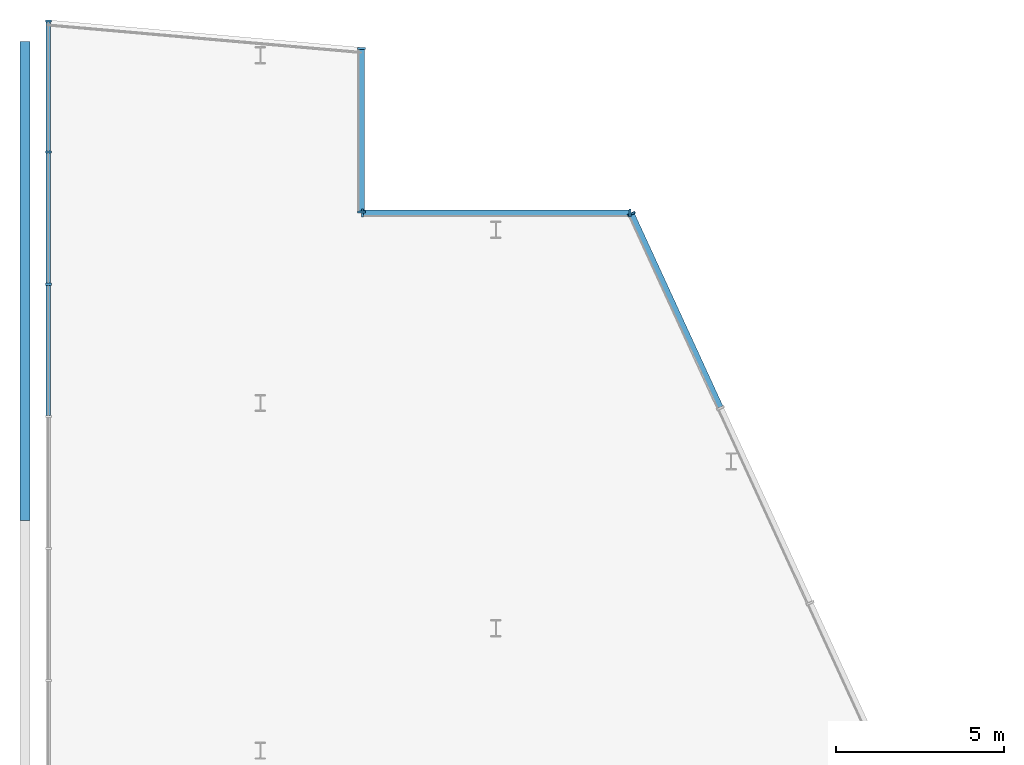
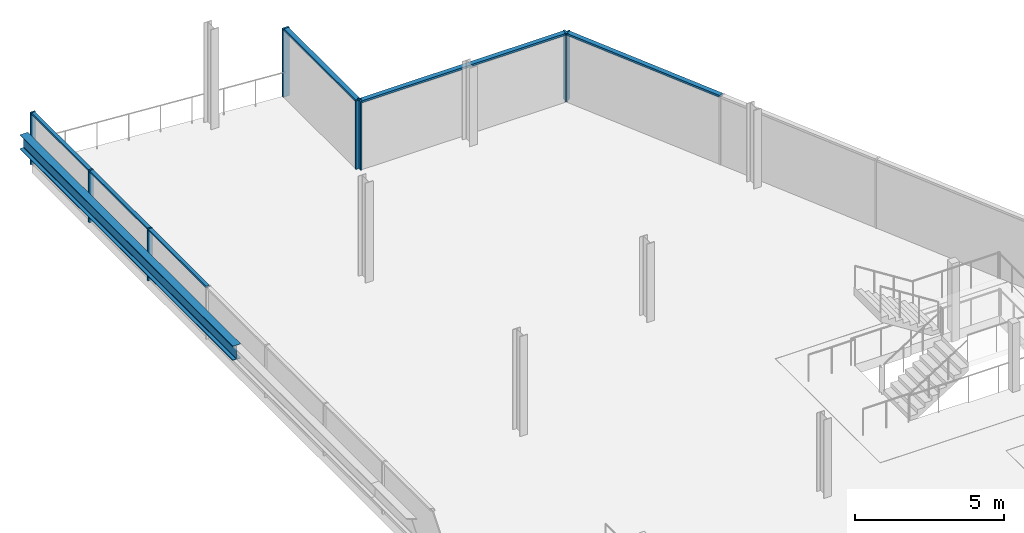
# One storey, part 6 of 9: 14 members, 1 beam, 4 elements without a shape of their own.
"""IFC4 building model written with IfcOpenShell, lengths in metres."""

from ifc_helpers import new_model, si_unit, direction, frame, origin, origin_2d, place, context, subcontext, project, spatial, rectangle, i_section, extrude, material, material_profile, profile_set, type_object, element, aggregate, save


model = new_model("IFC4")

# Units and contexts
model_context = context("Model", 3, precision=1e-05, world=origin(), true_north=direction((0.0, 1.0)))
body_context = subcontext(model_context, "Body", "Model", "MODEL_VIEW")
ifc_project = project(units=[si_unit("LENGTHUNIT", "METRE"), si_unit("AREAUNIT", "SQUARE_METRE"), si_unit("VOLUMEUNIT", "CUBIC_METRE"), si_unit("PLANEANGLEUNIT", "RADIAN"), si_unit("MASSUNIT", "GRAM", prefix="KILO")], contexts=[model_context])

# Site, building, storey
site_placement = place(None, origin())
site = spatial("IfcSite", under=ifc_project, at=site_placement, CompositionType="ELEMENT")
building_placement = place(site_placement, origin())
building = spatial("IfcBuilding", under=site, at=building_placement, Name="Wharfspan Tower", CompositionType="ELEMENT")
storey_placement = place(building_placement, frame((0.0, 0.0, 270.699951)))
storey = spatial("IfcBuildingStorey", under=building, at=storey_placement, Name="L69", CompositionType="ELEMENT", Elevation=270.699951)

# Curtain wall, members
ifc_material_1 = material(Name="Aluminium 6063-T6", Category="aluminium")
curtain_wall_type_1 = type_object("IfcCurtainWallType", Name="CURTAIN WALL CROWN GABLE", PredefinedType="NOTDEFINED", material=ifc_material_1)
curtain_wall_1_placement = place(storey_placement, origin())
curtain_wall_1 = element("IfcCurtainWall", 1, at=curtain_wall_1_placement, inside=storey, type_object=curtain_wall_type_1, Name="Crown gable glazing", PredefinedType="NOTDEFINED")
ifc_material_profile_1 = material_profile(ifc_material_1, rectangle(XDim=0.179932, YDim=0.060059, at=origin_2d()))
ifc_profile_set_1 = profile_set([ifc_material_profile_1], Name="Aluminium 6063-T6")
member_type_1 = type_object("IfcMemberType", Name="MULLION CROWN GABLE 60x180", PredefinedType="MULLION", material=ifc_profile_set_1)
member_1_placement = place(storey_placement, frame((44.691162, 41.480469, 0.0), z_axis=(0.0, 0.0, 1.0), x_axis=(-1.0, 0.0, 0.0)))
member_1 = element("IfcMember", 2, at=member_1_placement, type_object=member_type_1, Name="Crown gable glazing mullion 10", PredefinedType="MULLION", context=body_context, shape_type="SweptSolid", body=[
    extrude(rectangle(XDim=0.179932, YDim=0.060059, at=origin_2d()), origin(), (0.0, 0.0, 1.0), 2.124268),
])
member_2_placement = place(storey_placement, frame((44.691162, 45.409912, 0.0), z_axis=(0.0, 0.0, 1.0), x_axis=(-1.0, 0.0, 0.0)))
member_2 = element("IfcMember", 3, at=member_2_placement, type_object=member_type_1, Name="Crown gable glazing mullion 11", PredefinedType="MULLION", context=body_context, shape_type="SweptSolid", body=[
    extrude(rectangle(XDim=0.179932, YDim=0.060059, at=origin_2d()), origin(), (0.0, 0.0, 1.0), 2.124268),
])
member_3_placement = place(storey_placement, frame((44.691162, 49.309326, 0.0), z_axis=(0.0, 0.0, 1.0), x_axis=(-1.0, 0.0, 0.0)))
member_3 = element("IfcMember", 4, at=member_3_placement, type_object=member_type_1, Name="Crown gable glazing mullion 12", PredefinedType="MULLION", context=body_context, shape_type="SweptSolid", body=[
    extrude(rectangle(XDim=0.179932, YDim=0.060059, at=origin_2d()), origin(), (0.0, 0.0, 1.0), 2.124268),
])

# Curtain wall, member
curtain_wall_type_2 = type_object("IfcCurtainWallType", Name="CURTAIN WALL PROW AND END", PredefinedType="NOTDEFINED", material=ifc_material_1)
curtain_wall_2_placement = place(storey_placement, origin())
curtain_wall_2 = element("IfcCurtainWall", 5, at=curtain_wall_2_placement, inside=storey, type_object=curtain_wall_type_2, Name="Crown curtain wall E", PredefinedType="NOTDEFINED")
ifc_material_profile_2 = material_profile(ifc_material_1, rectangle(XDim=0.23999, YDim=0.060059, at=origin_2d()))
ifc_profile_set_2 = profile_set([ifc_material_profile_2], Name="Aluminium 6063-T6")
member_type_2 = type_object("IfcMemberType", Name="MULLION PROW AND END 60x240", PredefinedType="MULLION", material=ifc_profile_set_2)
member_4_placement = place(storey_placement, frame((62.032959, 43.572754, 0.0), z_axis=(0.0, 0.0, 1.0), x_axis=(-0.908769, -0.417292, 0.0)))
member_4 = element("IfcMember", 6, at=member_4_placement, type_object=member_type_2, Name="Crown curtain wall E mullion 7", PredefinedType="MULLION", context=body_context, shape_type="SweptSolid", body=[
    extrude(rectangle(XDim=0.23999, YDim=0.060059, at=origin_2d()), origin(), (0.0, 0.0, 1.0), 2.800049),
])

# Curtain wall, members
curtain_wall_3_placement = place(storey_placement, origin())
curtain_wall_3 = element("IfcCurtainWall", 7, at=curtain_wall_3_placement, inside=storey, type_object=curtain_wall_type_2, Name="Crown curtain wall NRE-H", PredefinedType="NOTDEFINED")
member_5_placement = place(storey_placement, frame((61.990479, 43.600098, 0.0), z_axis=(0.0, 0.0, 1.0), x_axis=(0.0, -1.0, 0.0)))
member_5 = element("IfcMember", 8, at=member_5_placement, type_object=member_type_2, Name="Crown curtain wall NRE-H mullion 1", PredefinedType="MULLION", context=body_context, shape_type="SweptSolid", body=[
    extrude(rectangle(XDim=0.23999, YDim=0.060059, at=origin_2d()), origin(), (0.0, 0.0, 1.0), 2.800049),
])
member_6_placement = place(storey_placement, frame((54.030029, 43.600098, 0.0), z_axis=(0.0, 0.0, 1.0), x_axis=(0.0, -1.0, 0.0)))
member_6 = element("IfcMember", 9, at=member_6_placement, type_object=member_type_2, Name="Crown curtain wall NRE-H mullion 2", PredefinedType="MULLION", context=body_context, shape_type="SweptSolid", body=[
    extrude(rectangle(XDim=0.23999, YDim=0.060059, at=origin_2d()), origin(), (0.0, 0.0, 1.0), 2.800049),
])

curtain_wall_4_placement = place(storey_placement, origin())
curtain_wall_4 = element("IfcCurtainWall", 10, at=curtain_wall_4_placement, inside=storey, type_object=curtain_wall_type_2, Name="Crown curtain wall NRE-V", PredefinedType="NOTDEFINED")
member_7_placement = place(storey_placement, frame((54.0, 43.629883, 0.0), z_axis=(0.0, 0.0, 1.0), x_axis=(-1.0, 0.0, 0.0)))
member_7 = element("IfcMember", 11, at=member_7_placement, type_object=member_type_2, Name="Crown curtain wall NRE-V mullion 1", PredefinedType="MULLION", context=body_context, shape_type="SweptSolid", body=[
    extrude(rectangle(XDim=0.23999, YDim=0.060059, at=origin_2d()), origin(), (0.0, 0.0, 1.0), 2.800049),
])
member_8_placement = place(storey_placement, frame((54.0, 48.494873, 0.0), z_axis=(0.0, 0.0, 1.0), x_axis=(-1.0, 0.0, 0.0)))
member_8 = element("IfcMember", 12, at=member_8_placement, type_object=member_type_2, Name="Crown curtain wall NRE-V mullion 2", PredefinedType="MULLION", context=body_context, shape_type="SweptSolid", body=[
    extrude(rectangle(XDim=0.23999, YDim=0.060059, at=origin_2d()), origin(), (0.0, 0.0, 1.0), 2.800049),
])

# Beam
ifc_material_2 = material(Name="Steel S355J2", Category="steel")
ifc_material_profile_3 = material_profile(ifc_material_2, i_section(OverallWidth=0.300049, OverallDepth=0.600098, WebThickness=0.015381, FlangeThickness=0.030029, FilletRadius=0.0271, at=origin_2d()))
ifc_profile_set_3 = profile_set([ifc_material_profile_3], Name="Steel S355J2")
beam_type = type_object("IfcBeamType", Name="Roof girder HEB 600", PredefinedType="BEAM", material=ifc_profile_set_3)
beam_placement = place(storey_placement, frame((44.0, 34.449951, 1.550049), z_axis=(0.0, 1.0, 0.0), x_axis=(-1.0, 0.0, 0.0)))
element("IfcBeam", 13, at=beam_placement, inside=storey, type_object=beam_type, Name="Roof girder G4 34 to 49", PredefinedType="BEAM", context=body_context, shape_type="SweptSolid", body=[
    extrude(i_section(OverallWidth=0.300049, OverallDepth=0.600098, WebThickness=0.015381, FlangeThickness=0.030029, FilletRadius=0.0271, at=origin_2d()), origin(), (0.0, 0.0, 1.0), 14.249756),
])

# Member
ifc_material_profile_4 = material_profile(ifc_material_1, rectangle(XDim=0.139893, YDim=0.070068, at=origin_2d()))
ifc_profile_set_4 = profile_set([ifc_material_profile_4], Name="Aluminium 6063-T6")
member_type_3 = type_object("IfcMemberType", Name="TRANSOM CROWN GABLE 70x140", PredefinedType="USERDEFINED", material=ifc_profile_set_4)
member_9_placement = place(storey_placement, frame((44.691162, 37.580811, 2.089355), z_axis=(0.0, 1.0, 0.0), x_axis=(-1.0, 0.0, 0.0)))
member_9 = element("IfcMember", 14, at=member_9_placement, type_object=member_type_3, Name="Crown gable glazing transom 9", ObjectType="TRANSOM", PredefinedType="USERDEFINED", context=body_context, shape_type="SweptSolid", body=[
    extrude(rectangle(XDim=0.139893, YDim=0.070068, at=origin_2d()), origin(), (0.0, 0.0, 1.0), 3.869629),
])

member_10_placement = place(storey_placement, frame((44.691162, 41.510254, 2.089355), z_axis=(0.0, 1.0, 0.0), x_axis=(-1.0, 0.0, 0.0)))
member_10 = element("IfcMember", 15, at=member_10_placement, type_object=member_type_3, Name="Crown gable glazing transom 10", ObjectType="TRANSOM", PredefinedType="USERDEFINED", context=body_context, shape_type="SweptSolid", body=[
    extrude(rectangle(XDim=0.139893, YDim=0.070068, at=origin_2d()), origin(), (0.0, 0.0, 1.0), 3.869629),
])

member_11_placement = place(storey_placement, frame((44.691162, 45.439941, 2.089355), z_axis=(0.0, 1.0, 0.0), x_axis=(-1.0, 0.0, 0.0)))
member_11 = element("IfcMember", 16, at=member_11_placement, type_object=member_type_3, Name="Crown gable glazing transom 11", ObjectType="TRANSOM", PredefinedType="USERDEFINED", context=body_context, shape_type="SweptSolid", body=[
    extrude(rectangle(XDim=0.139893, YDim=0.070068, at=origin_2d()), origin(), (0.0, 0.0, 1.0), 3.839355),
])

aggregate(curtain_wall_1, [member_1, member_2, member_3, member_9, member_10, member_11])

ifc_material_profile_5 = material_profile(ifc_material_1, rectangle(XDim=0.179932, YDim=0.080078, at=origin_2d()))
ifc_profile_set_5 = profile_set([ifc_material_profile_5], Name="Aluminium 6063-T6")
member_type_4 = type_object("IfcMemberType", Name="TRANSOM PROW AND END 80x180", PredefinedType="USERDEFINED", material=ifc_profile_set_5)
member_12_placement = place(storey_placement, frame((64.671143, 37.827148, 2.76001), z_axis=(-0.417293, 0.908772, 0.0), x_axis=(-0.908772, -0.417293, 0.0)))
member_12 = element("IfcMember", 17, at=member_12_placement, type_object=member_type_4, Name="Crown curtain wall E transom 6", ObjectType="TRANSOM", PredefinedType="USERDEFINED", context=body_context, shape_type="SweptSolid", body=[
    extrude(rectangle(XDim=0.179932, YDim=0.080078, at=origin_2d()), origin(), (0.0, 0.0, 1.0), 6.292236),
])

aggregate(curtain_wall_2, [member_4, member_12])

member_13_placement = place(storey_placement, frame((61.960449, 43.600098, 2.76001), z_axis=(-1.0, 0.0, 0.0), x_axis=(0.0, -1.0, 0.0)))
member_13 = element("IfcMember", 18, at=member_13_placement, type_object=member_type_4, Name="Crown curtain wall NRE-H transom 1", ObjectType="TRANSOM", PredefinedType="USERDEFINED", context=body_context, shape_type="SweptSolid", body=[
    extrude(rectangle(XDim=0.179932, YDim=0.080078, at=origin_2d()), origin(), (0.0, 0.0, 1.0), 7.900391),
])

aggregate(curtain_wall_3, [member_5, member_6, member_13])

member_14_placement = place(storey_placement, frame((54.0, 43.659912, 2.76001), z_axis=(0.0, 1.0, 0.0), x_axis=(-1.0, 0.0, 0.0)))
member_14 = element("IfcMember", 19, at=member_14_placement, type_object=member_type_4, Name="Crown curtain wall NRE-V transom 1", ObjectType="TRANSOM", PredefinedType="USERDEFINED", context=body_context, shape_type="SweptSolid", body=[
    extrude(rectangle(XDim=0.179932, YDim=0.080078, at=origin_2d()), origin(), (0.0, 0.0, 1.0), 4.804932),
])

aggregate(curtain_wall_4, [member_7, member_8, member_14])

save(model, "model.ifc")
